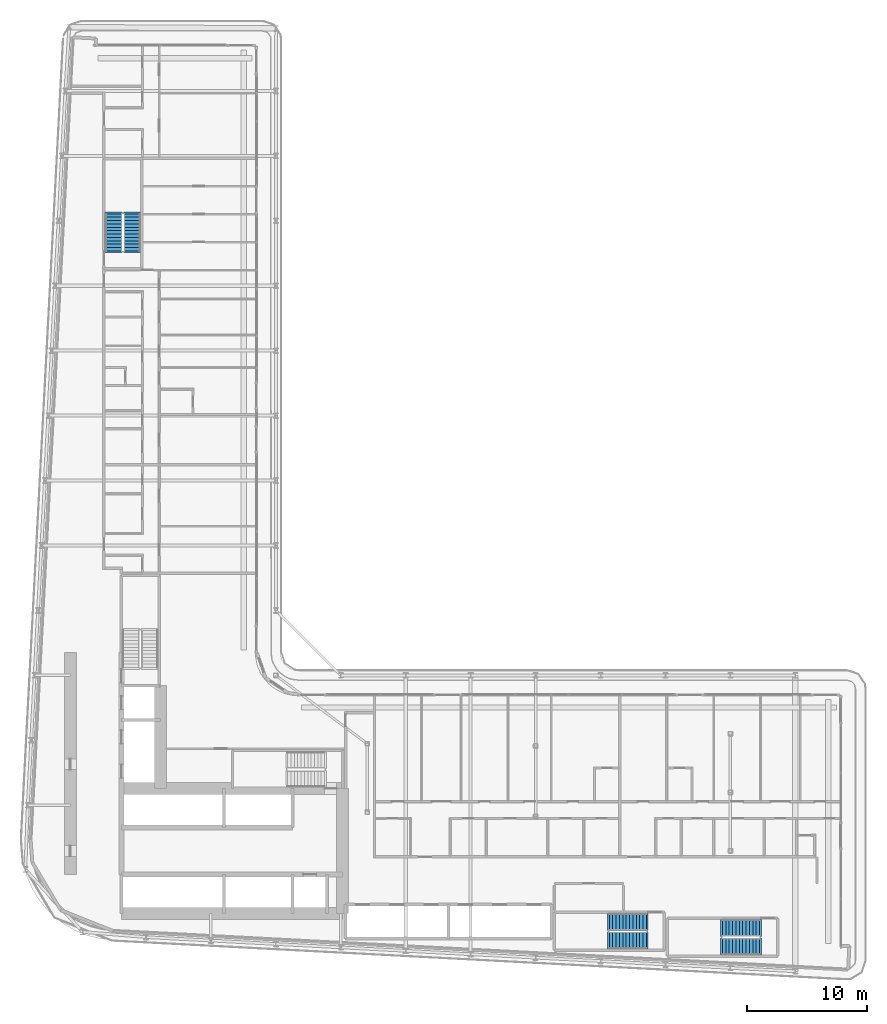
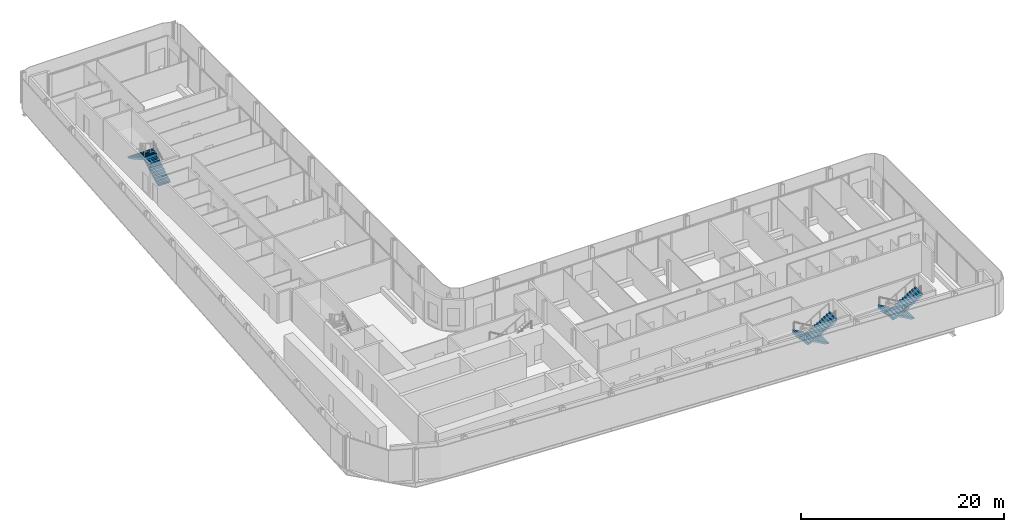
# One storey, part 20 of 27: 6 stair flights, 3 elements without a shape of their own.
"""IFC4 building model written with IfcOpenShell, lengths in metres."""

from ifc_helpers import new_model, si_unit, direction, frame, origin, place, context, subcontext, project, spatial, polyline, outline, extrude, material, layer, layer_set, type_object, element, aggregate, save


model = new_model("IFC4")

# Units and contexts
model_context = context("Model", 3, precision=1e-05, world=origin(), true_north=direction((0.0, 1.0)))
body_context = subcontext(model_context, "Body", "Model", "MODEL_VIEW")
ifc_project = project(units=[si_unit("LENGTHUNIT", "METRE"), si_unit("AREAUNIT", "SQUARE_METRE"), si_unit("VOLUMEUNIT", "CUBIC_METRE"), si_unit("PLANEANGLEUNIT", "RADIAN"), si_unit("MASSUNIT", "GRAM", prefix="KILO")], contexts=[model_context])

# Site, building, storey
site_placement = place(None, origin())
site = spatial("IfcSite", under=ifc_project, at=site_placement, CompositionType="ELEMENT")
building_placement = place(site_placement, origin())
building = spatial("IfcBuilding", under=site, at=building_placement, Name="Kheshtan School and Residences Tower", CompositionType="ELEMENT")
storey_placement = place(building_placement, frame((0.0, 0.0, 46.10009765625)))
storey = spatial("IfcBuildingStorey", under=building, at=storey_placement, Name="L10", CompositionType="ELEMENT", Elevation=46.10009765625)

# Stair, stair flights
ifc_material = material(Name="Concrete C40/50", Category="concrete")
stair_type = type_object("IfcStairType", Name="Exit stair, half-turn", PredefinedType="HALF_TURN_STAIR", material=ifc_material)
stair_1_placement = place(storey_placement, origin())
stair_1 = element("IfcStair", 1, at=stair_1_placement, inside=storey, type_object=stair_type, Name="L10 Protected Exit Stair ST3", PredefinedType="HALF_TURN_STAIR")
ifc_layer = layer(ifc_material, 0.14990234375)
ifc_layer_set = layer_set([ifc_layer], Name="Stair flight 1400 Concrete C40/50")
stair_flight_type = type_object("IfcStairFlightType", Name="Stair flight 1400 Concrete C40/50", PredefinedType="STRAIGHT", material=ifc_layer_set)
stair_flight_1_placement = place(storey_placement, frame((35.64990234375, 80.89990234375, 0.0), z_axis=(0.0, 0.0, 1.0), x_axis=(0.0, 1.0, 0.0)))
stair_flight_1 = element("IfcStairFlight", 2, at=stair_flight_1_placement, type_object=stair_flight_type, Name="ST3 flight 1", NumberOfRisers=12, NumberOfTreads=11, PredefinedType="STRAIGHT", RiserHeight=0.1625, TreadLength=0.28, context=body_context, shape_type="SweptSolid", body=[
    extrude(outline(polyline([(-0.14990234375, -0.10009765625), (-0.14990234375, 0.0), (0.0, 0.0), (0.0, 0.16259765625), (0.280029296875, 0.16259765625), (0.280029296875, 0.324951171875), (0.56005859375, 0.324951171875), (0.56005859375, 0.487548828125), (0.840087890625, 0.487548828125), (0.840087890625, 0.64990234375), (1.1201171875, 0.64990234375), (1.1201171875, 0.8125), (1.39990234375, 0.8125), (1.39990234375, 0.97509765625), (1.679931640625, 0.97509765625), (1.679931640625, 1.137451171875), (1.9599609375, 1.137451171875), (1.9599609375, 1.300048828125), (2.239990234375, 1.300048828125), (2.239990234375, 1.46240234375), (2.52001953125, 1.46240234375), (2.52001953125, 1.625), (2.800048828125, 1.625), (2.800048828125, 1.78759765625), (3.080078125, 1.78759765625), (3.080078125, 1.949951171875), (3.080078125, 1.969970703125), (3.22998046875, 1.969970703125), (3.22998046875, 1.6142578125), (0.298583984375, 0.0), (-0.14990234375, -0.10009765625)])), frame((0.0, 0.699951171875, 0.0), z_axis=(0.0, -1.0, 0.0), x_axis=(1.0, 0.0, 0.0)), (0.0, 0.0, 1.0), 1.39990234375),
])
stair_flight_2_placement = place(storey_placement, frame((34.10009765625, 83.97998046875, 1.949951171875), z_axis=(0.0, 0.0, 1.0), x_axis=(0.0, -1.0, 0.0)))
stair_flight_2 = element("IfcStairFlight", 3, at=stair_flight_2_placement, type_object=stair_flight_type, Name="ST3 flight 2", NumberOfRisers=12, NumberOfTreads=11, PredefinedType="STRAIGHT", RiserHeight=0.1625, TreadLength=0.28, context=body_context, shape_type="SweptSolid", body=[
    extrude(outline(polyline([(-0.14990234375, -0.10009765625), (-0.14990234375, 0.0), (0.0, 0.0), (0.0, 0.16259765625), (0.280029296875, 0.16259765625), (0.280029296875, 0.324951171875), (0.56005859375, 0.324951171875), (0.56005859375, 0.487548828125), (0.840087890625, 0.487548828125), (0.840087890625, 0.64990234375), (1.1201171875, 0.64990234375), (1.1201171875, 0.8125), (1.39990234375, 0.8125), (1.39990234375, 0.97509765625), (1.679931640625, 0.97509765625), (1.679931640625, 1.137451171875), (1.9599609375, 1.137451171875), (1.9599609375, 1.300048828125), (2.239990234375, 1.300048828125), (2.239990234375, 1.46240234375), (2.52001953125, 1.46240234375), (2.52001953125, 1.625), (2.800048828125, 1.625), (2.800048828125, 1.78759765625), (3.080078125, 1.78759765625), (3.080078125, 1.949951171875), (3.080078125, 1.969970703125), (3.22998046875, 1.969970703125), (3.22998046875, 1.6142578125), (0.298583984375, 0.0), (-0.14990234375, -0.10009765625)])), frame((0.0, 0.699951171875, 0.0), z_axis=(0.0, -1.0, 0.0), x_axis=(1.0, 0.0, 0.0)), (0.0, 0.0, 1.0), 1.39990234375),
])
aggregate(stair_1, [stair_flight_1, stair_flight_2])

stair_2_placement = place(storey_placement, origin())
stair_2 = element("IfcStair", 4, at=stair_2_placement, inside=storey, type_object=stair_type, Name="L10 Protected Exit Stair ST4", PredefinedType="HALF_TURN_STAIR")
stair_flight_3_placement = place(storey_placement, frame((87.820068359375, 24.60009765625, 0.0), z_axis=(0.0, 0.0, 1.0), x_axis=(-1.0, 0.0, 0.0)))
stair_flight_3 = element("IfcStairFlight", 5, at=stair_flight_3_placement, type_object=stair_flight_type, Name="ST4 flight 1", NumberOfRisers=12, NumberOfTreads=11, PredefinedType="STRAIGHT", RiserHeight=0.1625, TreadLength=0.28, context=body_context, shape_type="SweptSolid", body=[
    extrude(outline(polyline([(-0.14990234375, -0.10009765625), (-0.14990234375, 0.0), (0.0, 0.0), (0.0, 0.16259765625), (0.280029296875, 0.16259765625), (0.280029296875, 0.324951171875), (0.56005859375, 0.324951171875), (0.56005859375, 0.487548828125), (0.840087890625, 0.487548828125), (0.840087890625, 0.64990234375), (1.1201171875, 0.64990234375), (1.1201171875, 0.8125), (1.39990234375, 0.8125), (1.39990234375, 0.97509765625), (1.679931640625, 0.97509765625), (1.679931640625, 1.137451171875), (1.9599609375, 1.137451171875), (1.9599609375, 1.300048828125), (2.239990234375, 1.300048828125), (2.239990234375, 1.46240234375), (2.52001953125, 1.46240234375), (2.52001953125, 1.625), (2.800048828125, 1.625), (2.800048828125, 1.78759765625), (3.080078125, 1.78759765625), (3.080078125, 1.949951171875), (3.080078125, 1.969970703125), (3.22998046875, 1.969970703125), (3.22998046875, 1.6142578125), (0.298583984375, 0.0), (-0.14990234375, -0.10009765625)])), frame((0.0, 0.699951171875, 0.0), z_axis=(0.0, -1.0, 0.0), x_axis=(1.0, 0.0, 0.0)), (0.0, 0.0, 1.0), 1.39990234375),
])
stair_flight_4_placement = place(storey_placement, frame((84.739990234375, 23.050048828125, 1.949951171875), z_axis=(0.0, 0.0, 1.0), x_axis=(1.0, 0.0, 0.0)))
stair_flight_4 = element("IfcStairFlight", 6, at=stair_flight_4_placement, type_object=stair_flight_type, Name="ST4 flight 2", NumberOfRisers=12, NumberOfTreads=11, PredefinedType="STRAIGHT", RiserHeight=0.1625, TreadLength=0.28, context=body_context, shape_type="SweptSolid", body=[
    extrude(outline(polyline([(-0.14990234375, -0.10009765625), (-0.14990234375, 0.0), (0.0, 0.0), (0.0, 0.16259765625), (0.280029296875, 0.16259765625), (0.280029296875, 0.324951171875), (0.56005859375, 0.324951171875), (0.56005859375, 0.487548828125), (0.840087890625, 0.487548828125), (0.840087890625, 0.64990234375), (1.1201171875, 0.64990234375), (1.1201171875, 0.8125), (1.39990234375, 0.8125), (1.39990234375, 0.97509765625), (1.679931640625, 0.97509765625), (1.679931640625, 1.137451171875), (1.9599609375, 1.137451171875), (1.9599609375, 1.300048828125), (2.239990234375, 1.300048828125), (2.239990234375, 1.46240234375), (2.52001953125, 1.46240234375), (2.52001953125, 1.625), (2.800048828125, 1.625), (2.800048828125, 1.78759765625), (3.080078125, 1.78759765625), (3.080078125, 1.949951171875), (3.080078125, 1.969970703125), (3.22998046875, 1.969970703125), (3.22998046875, 1.6142578125), (0.298583984375, 0.0), (-0.14990234375, -0.10009765625)])), frame((0.0, 0.699951171875, 0.0), z_axis=(0.0, -1.0, 0.0), x_axis=(1.0, 0.0, 0.0)), (0.0, 0.0, 1.0), 1.39990234375),
])
aggregate(stair_2, [stair_flight_3, stair_flight_4])

stair_3_placement = place(storey_placement, origin())
stair_3 = element("IfcStair", 7, at=stair_3_placement, inside=storey, type_object=stair_type, Name="L10 Protected Exit Stair ST5", PredefinedType="HALF_TURN_STAIR")
stair_flight_5_placement = place(storey_placement, frame((78.409912109375, 25.10009765625, 0.0), z_axis=(0.0, 0.0, 1.0), x_axis=(-1.0, 0.0, 0.0)))
stair_flight_5 = element("IfcStairFlight", 8, at=stair_flight_5_placement, type_object=stair_flight_type, Name="ST5 flight 1", NumberOfRisers=12, NumberOfTreads=11, PredefinedType="STRAIGHT", RiserHeight=0.1625, TreadLength=0.28, context=body_context, shape_type="SweptSolid", body=[
    extrude(outline(polyline([(-0.14990234375, -0.10009765625), (-0.14990234375, 0.0), (0.0, 0.0), (0.0, 0.16259765625), (0.280029296875, 0.16259765625), (0.280029296875, 0.324951171875), (0.56005859375, 0.324951171875), (0.56005859375, 0.487548828125), (0.840087890625, 0.487548828125), (0.840087890625, 0.64990234375), (1.1201171875, 0.64990234375), (1.1201171875, 0.8125), (1.39990234375, 0.8125), (1.39990234375, 0.97509765625), (1.679931640625, 0.97509765625), (1.679931640625, 1.137451171875), (1.9599609375, 1.137451171875), (1.9599609375, 1.300048828125), (2.239990234375, 1.300048828125), (2.239990234375, 1.46240234375), (2.52001953125, 1.46240234375), (2.52001953125, 1.625), (2.800048828125, 1.625), (2.800048828125, 1.78759765625), (3.080078125, 1.78759765625), (3.080078125, 1.949951171875), (3.080078125, 1.969970703125), (3.22998046875, 1.969970703125), (3.22998046875, 1.6142578125), (0.298583984375, 0.0), (-0.14990234375, -0.10009765625)])), frame((0.0, 0.699951171875, 0.0), z_axis=(0.0, -1.0, 0.0), x_axis=(1.0, 0.0, 0.0)), (0.0, 0.0, 1.0), 1.39990234375),
])
stair_flight_6_placement = place(storey_placement, frame((75.330078125, 23.550048828125, 1.949951171875), z_axis=(0.0, 0.0, 1.0), x_axis=(1.0, 0.0, 0.0)))
stair_flight_6 = element("IfcStairFlight", 9, at=stair_flight_6_placement, type_object=stair_flight_type, Name="ST5 flight 2", NumberOfRisers=12, NumberOfTreads=11, PredefinedType="STRAIGHT", RiserHeight=0.1625, TreadLength=0.28, context=body_context, shape_type="SweptSolid", body=[
    extrude(outline(polyline([(-0.14990234375, -0.10009765625), (-0.14990234375, 0.0), (0.0, 0.0), (0.0, 0.16259765625), (0.280029296875, 0.16259765625), (0.280029296875, 0.324951171875), (0.56005859375, 0.324951171875), (0.56005859375, 0.487548828125), (0.840087890625, 0.487548828125), (0.840087890625, 0.64990234375), (1.1201171875, 0.64990234375), (1.1201171875, 0.8125), (1.39990234375, 0.8125), (1.39990234375, 0.97509765625), (1.679931640625, 0.97509765625), (1.679931640625, 1.137451171875), (1.9599609375, 1.137451171875), (1.9599609375, 1.300048828125), (2.239990234375, 1.300048828125), (2.239990234375, 1.46240234375), (2.52001953125, 1.46240234375), (2.52001953125, 1.625), (2.800048828125, 1.625), (2.800048828125, 1.78759765625), (3.080078125, 1.78759765625), (3.080078125, 1.949951171875), (3.080078125, 1.969970703125), (3.22998046875, 1.969970703125), (3.22998046875, 1.6142578125), (0.298583984375, 0.0), (-0.14990234375, -0.10009765625)])), frame((0.0, 0.699951171875, 0.0), z_axis=(0.0, -1.0, 0.0), x_axis=(1.0, 0.0, 0.0)), (0.0, 0.0, 1.0), 1.39990234375),
])
aggregate(stair_3, [stair_flight_5, stair_flight_6])

save(model, "model.ifc")
